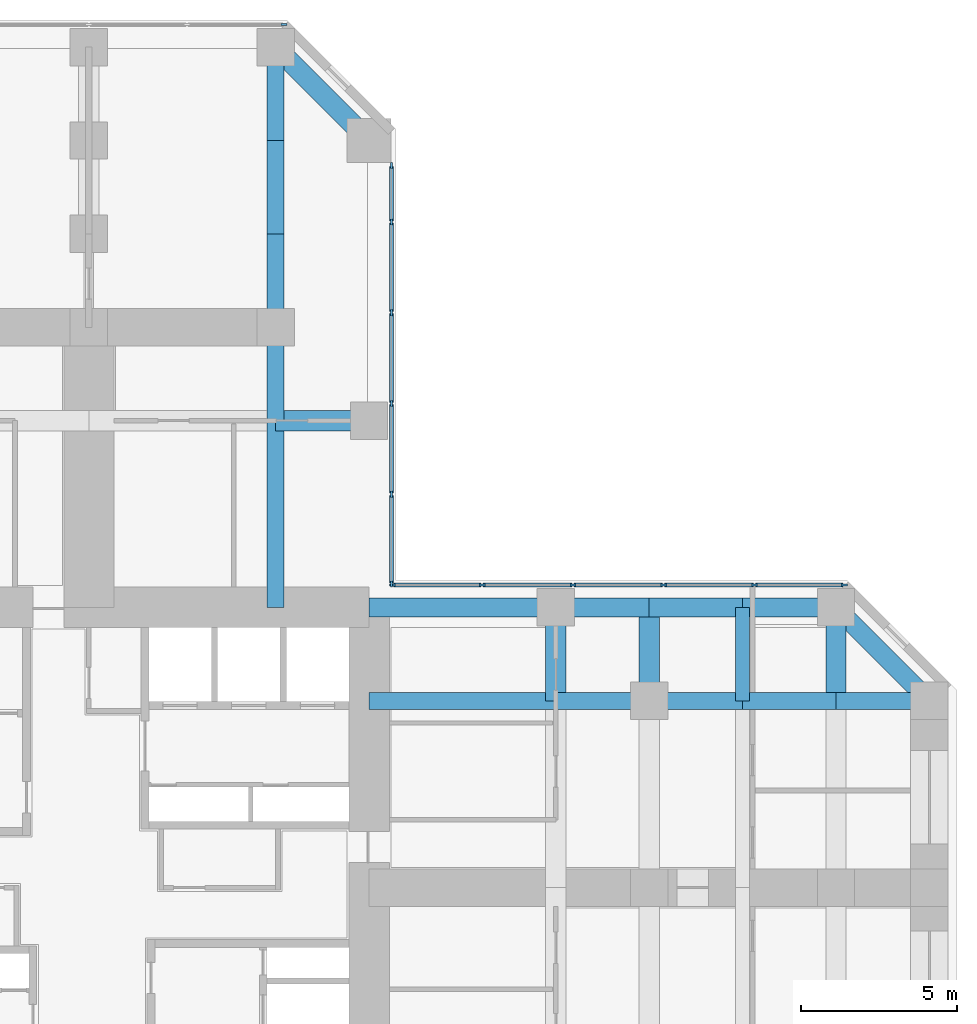
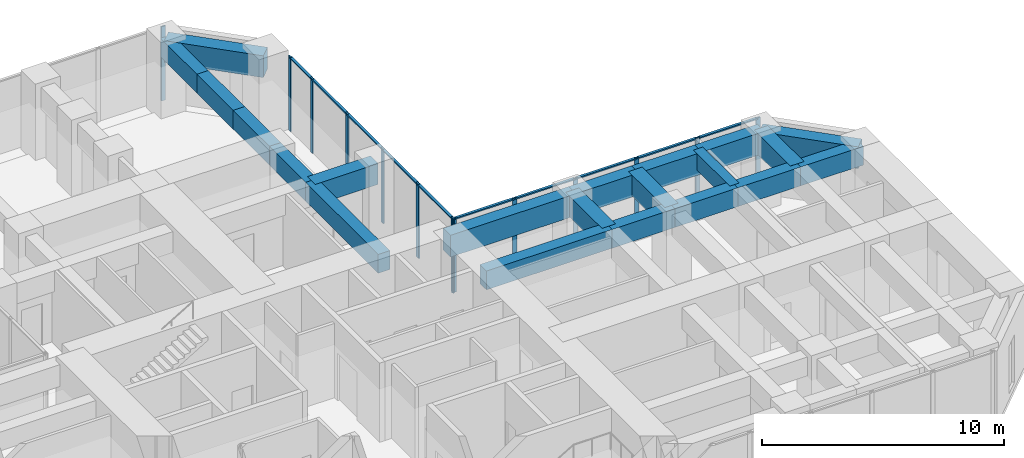
# One storey, part 6 of 13: 23 members, 21 beams, 3 elements without a shape of their own.
"""IFC4 building model written with IfcOpenShell, lengths in metres."""

from ifc_helpers import new_model, si_unit, direction, frame, origin, origin_2d, place, context, subcontext, project, spatial, rectangle, extrude, material, material_profile, profile_set, type_object, element, aggregate, save


model = new_model("IFC4")

# Units and contexts
model_context = context("Model", 3, precision=1e-05, world=origin(), true_north=direction((0.0, 1.0)))
body_context = subcontext(model_context, "Body", "Model", "MODEL_VIEW")
ifc_project = project(units=[si_unit("LENGTHUNIT", "METRE"), si_unit("AREAUNIT", "SQUARE_METRE"), si_unit("VOLUMEUNIT", "CUBIC_METRE"), si_unit("PLANEANGLEUNIT", "RADIAN"), si_unit("MASSUNIT", "GRAM", prefix="KILO")], contexts=[model_context])

# Site, building, storey
site_placement = place(None, origin())
site = spatial("IfcSite", under=ifc_project, at=site_placement, CompositionType="ELEMENT")
building_placement = place(site_placement, origin())
building = spatial("IfcBuilding", under=site, at=building_placement, Name="Torre Cruceta", CompositionType="ELEMENT")
storey_placement = place(building_placement, frame((0.0, 0.0, 91.5)))
storey = spatial("IfcBuildingStorey", under=building, at=storey_placement, Name="L22", CompositionType="ELEMENT", Elevation=91.5)

# Beams
ifc_material_1 = material(Name="Concrete G60 (fck 60 MPa)", Category="concrete")
ifc_material_profile_1 = material_profile(ifc_material_1, rectangle(XDim=0.550048828125, YDim=0.949951171875, at=origin_2d()), Name="RC 550X950")
ifc_profile_set_1 = profile_set([ifc_material_profile_1], Name="Concrete G60 (fck 60 MPa)")
beam_type_1 = type_object("IfcBeamType", Name="COLUMN LINE BEAM RC 550X950", PredefinedType="BEAM", material=ifc_profile_set_1)
beam_1_placement = place(storey_placement, frame((6.0, 9.0, 3.27490234375), z_axis=(0.0, 1.0, 0.0), x_axis=(-1.0, 0.0, 0.0)))
element("IfcBeam", 1, at=beam_1_placement, inside=storey, type_object=beam_type_1, Name="LB3 L22 N col- 1", PredefinedType="BEAM", context=body_context, shape_type="SweptSolid", body=[
    extrude(rectangle(XDim=0.550048828125, YDim=0.949951171875, at=origin_2d()), origin(), (0.0, 0.0, 1.0), 6.0),
])
for number, where, z_axis, x_axis, name in (
    (2, (6.0, 15.0, 3.27490234375), (0.0, 1.0, 0.0), (-1.0, 0.0, 0.0), "LB3 L22 N col- 2"),
    (3, (6.0, 18.0, 3.27490234375), (0.0, 1.0, 0.0), (-1.0, 0.0, 0.0), "LB3 L22 N col- 3"),
    (4, (6.0, 21.0, 3.27490234375), (0.0, 1.0, 0.0), (-1.0, 0.0, 0.0), "LB3 L22 N col- 4"),
    (5, (6.0, 24.0, 3.27490234375), (0.0, 1.0, 0.0), (-1.0, 0.0, 0.0), "LB3 L22 N col- 5"),
):
    element("IfcBeam", number, at=place(storey_placement, frame(where, z_axis=z_axis, x_axis=x_axis)), inside=storey, type_object=beam_type_1, Name=name, PredefinedType="BEAM", context=body_context, shape_type="SweptSolid", body=[
        extrude(rectangle(XDim=0.550048828125, YDim=0.949951171875, at=origin_2d()), origin(), (0.0, 0.0, 1.0), 3.0),
    ])
beam_2_placement = place(storey_placement, frame((9.0, 6.0, 3.27490234375), z_axis=(1.0, 0.0, 0.0), x_axis=(0.0, 1.0, 0.0)))
element("IfcBeam", 6, at=beam_2_placement, inside=storey, type_object=beam_type_1, Name="LB3 L22 E col+ 1", PredefinedType="BEAM", context=body_context, shape_type="SweptSolid", body=[
    extrude(rectangle(XDim=0.550048828125, YDim=0.949951171875, at=origin_2d()), origin(), (0.0, 0.0, 1.0), 6.0),
])
for number, where, z_axis, x_axis, name in (
    (7, (15.0, 6.0, 3.27490234375), (1.0, 0.0, 0.0), (0.0, 1.0, 0.0), "LB3 L22 E col+ 2"),
    (8, (18.0, 6.0, 3.27490234375), (1.0, 0.0, 0.0), (0.0, 1.0, 0.0), "LB3 L22 E col+ 3"),
    (9, (21.0, 6.0, 3.27490234375), (1.0, 0.0, 0.0), (0.0, 1.0, 0.0), "LB3 L22 E col+ 4"),
    (10, (24.0, 6.0, 3.27490234375), (1.0, 0.0, 0.0), (0.0, 1.0, 0.0), "LB3 L22 E col+ 5"),
):
    element("IfcBeam", number, at=place(storey_placement, frame(where, z_axis=z_axis, x_axis=x_axis)), inside=storey, type_object=beam_type_1, Name=name, PredefinedType="BEAM", context=body_context, shape_type="SweptSolid", body=[
        extrude(rectangle(XDim=0.550048828125, YDim=0.949951171875, at=origin_2d()), origin(), (0.0, 0.0, 1.0), 3.0),
    ])
ifc_material_2 = material(Name="Concrete G60 (fck 60 MPa)", Category="concrete")
ifc_material_profile_2 = material_profile(ifc_material_2, rectangle(XDim=0.64990234375, YDim=1.050048828125, at=origin_2d()), Name="RC 650X1050")
ifc_profile_set_2 = profile_set([ifc_material_profile_2], Name="Concrete G60 (fck 60 MPa)")
beam_type_2 = type_object("IfcBeamType", Name="CROSS BEAM RC 650X1050", PredefinedType="BEAM", material=ifc_profile_set_2)
for number, where, z_axis, x_axis, name in (
    (11, (9.0, 15.0, 3.22509765625), (-1.0, 0.0, 0.0), (0.0, -1.0, 0.0), "GB3 L22 N cross15 1"),
    (12, (15.0, 6.0, 3.22509765625), (0.0, 1.0, 0.0), (-1.0, 0.0, 0.0), "GB3 L22 E cross15 4"),
    (13, (18.0, 6.0, 3.22509765625), (0.0, 1.0, 0.0), (-1.0, 0.0, 0.0), "GB3 L22 E cross18 4"),
    (14, (24.0, 6.0, 3.22509765625), (0.0, 1.0, 0.0), (-1.0, 0.0, 0.0), "GB3 L22 E cross24 4"),
):
    element("IfcBeam", number, at=place(storey_placement, frame(where, z_axis=z_axis, x_axis=x_axis)), inside=storey, type_object=beam_type_2, Name=name, PredefinedType="BEAM", context=body_context, shape_type="SweptSolid", body=[
        extrude(rectangle(XDim=0.64990234375, YDim=1.050048828125, at=origin_2d()), origin(), (0.0, 0.0, 1.0), 3.0),
    ])

# Curtain wall, members
ifc_material_3 = material(Name="Aluminium unitised curtain wall", Category="aluminium")
curtain_wall_type = type_object("IfcCurtainWallType", Name="CURTAIN WALL CW-A OFFICE LOW RISE", PredefinedType="USERDEFINED", material=ifc_material_3)
curtain_wall_1_placement = place(storey_placement, origin())
curtain_wall_1 = element("IfcCurtainWall", 15, at=curtain_wall_1_placement, inside=storey, type_object=curtain_wall_type, Name="CW-A L22 E side 04", ObjectType="UNITISED", PredefinedType="USERDEFINED")
ifc_material_4 = material(Name="Aluminium mullion", Category="aluminium")
ifc_material_profile_3 = material_profile(ifc_material_4, rectangle(XDim=0.06494140625, YDim=0.199951171875, at=origin_2d()), Name="AL 65X200")
ifc_profile_set_3 = profile_set([ifc_material_profile_3], Name="Aluminium mullion")
member_type_1 = type_object("IfcMemberType", Name="CW-A MULLION 65X200", PredefinedType="MULLION", material=ifc_profile_set_3)
member_1_placement = place(storey_placement, frame((24.265625, 9.719970703125, 0.0), z_axis=(0.0, 0.0, 1.0), x_axis=(0.0, -1.0, 0.0)))
member_1 = element("IfcMember", 16, at=member_1_placement, type_object=member_type_1, Name="CW-A mullion 1", PredefinedType="MULLION", context=body_context, shape_type="SweptSolid", body=[
    extrude(rectangle(XDim=0.06494140625, YDim=0.199951171875, at=origin_2d()), origin(), (0.0, 0.0, 1.0), 3.75),
])
member_2_placement = place(storey_placement, frame((21.382568359375, 9.719970703125, 0.0), z_axis=(0.0, 0.0, 1.0), x_axis=(0.0, -1.0, 0.0)))
member_2 = element("IfcMember", 17, at=member_2_placement, type_object=member_type_1, Name="CW-A mullion 2", PredefinedType="MULLION", context=body_context, shape_type="SweptSolid", body=[
    extrude(rectangle(XDim=0.06494140625, YDim=0.199951171875, at=origin_2d()), origin(), (0.0, 0.0, 1.0), 3.75),
])
member_3_placement = place(storey_placement, frame((18.467041015625, 9.719970703125, 0.0), z_axis=(0.0, 0.0, 1.0), x_axis=(0.0, -1.0, 0.0)))
member_3 = element("IfcMember", 18, at=member_3_placement, type_object=member_type_1, Name="CW-A mullion 3", PredefinedType="MULLION", context=body_context, shape_type="SweptSolid", body=[
    extrude(rectangle(XDim=0.06494140625, YDim=0.199951171875, at=origin_2d()), origin(), (0.0, 0.0, 1.0), 3.75),
])
member_4_placement = place(storey_placement, frame((15.55126953125, 9.719970703125, 0.0), z_axis=(0.0, 0.0, 1.0), x_axis=(0.0, -1.0, 0.0)))
member_4 = element("IfcMember", 19, at=member_4_placement, type_object=member_type_1, Name="CW-A mullion 4", PredefinedType="MULLION", context=body_context, shape_type="SweptSolid", body=[
    extrude(rectangle(XDim=0.06494140625, YDim=0.199951171875, at=origin_2d()), origin(), (0.0, 0.0, 1.0), 3.75),
])
member_5_placement = place(storey_placement, frame((12.6357421875, 9.719970703125, 0.0), z_axis=(0.0, 0.0, 1.0), x_axis=(0.0, -1.0, 0.0)))
member_5 = element("IfcMember", 20, at=member_5_placement, type_object=member_type_1, Name="CW-A mullion 5", PredefinedType="MULLION", context=body_context, shape_type="SweptSolid", body=[
    extrude(rectangle(XDim=0.06494140625, YDim=0.199951171875, at=origin_2d()), origin(), (0.0, 0.0, 1.0), 3.75),
])
member_6_placement = place(storey_placement, frame((9.75244140625, 9.719970703125, 0.0), z_axis=(0.0, 0.0, 1.0), x_axis=(0.0, -1.0, 0.0)))
member_6 = element("IfcMember", 21, at=member_6_placement, type_object=member_type_1, Name="CW-A mullion 6", PredefinedType="MULLION", context=body_context, shape_type="SweptSolid", body=[
    extrude(rectangle(XDim=0.06494140625, YDim=0.199951171875, at=origin_2d()), origin(), (0.0, 0.0, 1.0), 3.75),
])

curtain_wall_2_placement = place(storey_placement, origin())
curtain_wall_2 = element("IfcCurtainWall", 22, at=curtain_wall_2_placement, inside=storey, type_object=curtain_wall_type, Name="CW-A L22 N side 05", ObjectType="UNITISED", PredefinedType="USERDEFINED")
member_7_placement = place(storey_placement, frame((9.719970703125, 9.75244140625, 0.0), z_axis=(0.0, 0.0, 1.0), x_axis=(-1.0, 0.0, 0.0)))
member_7 = element("IfcMember", 23, at=member_7_placement, type_object=member_type_1, Name="CW-A mullion 1", PredefinedType="MULLION", context=body_context, shape_type="SweptSolid", body=[
    extrude(rectangle(XDim=0.06494140625, YDim=0.199951171875, at=origin_2d()), origin(), (0.0, 0.0, 1.0), 3.75),
])
member_8_placement = place(storey_placement, frame((9.719970703125, 12.6357421875, 0.0), z_axis=(0.0, 0.0, 1.0), x_axis=(-1.0, 0.0, 0.0)))
member_8 = element("IfcMember", 24, at=member_8_placement, type_object=member_type_1, Name="CW-A mullion 2", PredefinedType="MULLION", context=body_context, shape_type="SweptSolid", body=[
    extrude(rectangle(XDim=0.06494140625, YDim=0.199951171875, at=origin_2d()), origin(), (0.0, 0.0, 1.0), 3.75),
])
member_9_placement = place(storey_placement, frame((9.719970703125, 15.55126953125, 0.0), z_axis=(0.0, 0.0, 1.0), x_axis=(-1.0, 0.0, 0.0)))
member_9 = element("IfcMember", 25, at=member_9_placement, type_object=member_type_1, Name="CW-A mullion 3", PredefinedType="MULLION", context=body_context, shape_type="SweptSolid", body=[
    extrude(rectangle(XDim=0.06494140625, YDim=0.199951171875, at=origin_2d()), origin(), (0.0, 0.0, 1.0), 3.75),
])
member_10_placement = place(storey_placement, frame((9.719970703125, 18.467041015625, 0.0), z_axis=(0.0, 0.0, 1.0), x_axis=(-1.0, 0.0, 0.0)))
member_10 = element("IfcMember", 26, at=member_10_placement, type_object=member_type_1, Name="CW-A mullion 4", PredefinedType="MULLION", context=body_context, shape_type="SweptSolid", body=[
    extrude(rectangle(XDim=0.06494140625, YDim=0.199951171875, at=origin_2d()), origin(), (0.0, 0.0, 1.0), 3.75),
])
member_11_placement = place(storey_placement, frame((9.719970703125, 21.382568359375, 0.0), z_axis=(0.0, 0.0, 1.0), x_axis=(-1.0, 0.0, 0.0)))
member_11 = element("IfcMember", 27, at=member_11_placement, type_object=member_type_1, Name="CW-A mullion 5", PredefinedType="MULLION", context=body_context, shape_type="SweptSolid", body=[
    extrude(rectangle(XDim=0.06494140625, YDim=0.199951171875, at=origin_2d()), origin(), (0.0, 0.0, 1.0), 3.75),
])
member_12_placement = place(storey_placement, frame((9.719970703125, 23.198974609375, 0.0), z_axis=(0.0, 0.0, 1.0), x_axis=(-1.0, 0.0, 0.0)))
member_12 = element("IfcMember", 28, at=member_12_placement, type_object=member_type_1, Name="CW-A mullion 6", PredefinedType="MULLION", context=body_context, shape_type="SweptSolid", body=[
    extrude(rectangle(XDim=0.06494140625, YDim=0.199951171875, at=origin_2d()), origin(), (0.0, 0.0, 1.0), 3.75),
])

# Curtain wall, member
curtain_wall_3_placement = place(storey_placement, origin())
curtain_wall_3 = element("IfcCurtainWall", 29, at=curtain_wall_3_placement, inside=storey, type_object=curtain_wall_type, Name="CW-A L22 N tip 07", ObjectType="UNITISED", PredefinedType="USERDEFINED")
member_13_placement = place(storey_placement, frame((6.265625, 27.719970703125, 0.0), z_axis=(0.0, 0.0, 1.0), x_axis=(0.0, -1.0, 0.0)))
member_13 = element("IfcMember", 30, at=member_13_placement, type_object=member_type_1, Name="CW-A mullion 1", PredefinedType="MULLION", context=body_context, shape_type="SweptSolid", body=[
    extrude(rectangle(XDim=0.06494140625, YDim=0.199951171875, at=origin_2d()), origin(), (0.0, 0.0, 1.0), 3.75),
])
aggregate(curtain_wall_3, [member_13])

# Member
ifc_material_5 = material(Name="Aluminium transom", Category="aluminium")
ifc_material_profile_4 = material_profile(ifc_material_5, rectangle(XDim=0.1201171875, YDim=0.06494140625, at=origin_2d()), Name="AL 120X65")
ifc_profile_set_4 = profile_set([ifc_material_profile_4], Name="Aluminium transom")
member_type_2 = type_object("IfcMemberType", Name="CW-A TRANSOM 65X120", PredefinedType="USERDEFINED", material=ifc_profile_set_4)
member_14_placement = place(storey_placement, frame((24.233154296875, 9.719970703125, 3.717529296875), z_axis=(-1.0, 0.0, 0.0), x_axis=(0.0, -1.0, 0.0)))
member_14 = element("IfcMember", 31, at=member_14_placement, type_object=member_type_2, Name="CW-A transom 1", ObjectType="TRANSOM", PredefinedType="USERDEFINED", context=body_context, shape_type="SweptSolid", body=[
    extrude(rectangle(XDim=0.1201171875, YDim=0.06494140625, at=origin_2d()), origin(), (0.0, 0.0, 1.0), 2.818115234375),
])

member_15_placement = place(storey_placement, frame((21.35009765625, 9.719970703125, 3.717529296875), z_axis=(-1.0, 0.0, 0.0), x_axis=(0.0, -1.0, 0.0)))
member_15 = element("IfcMember", 32, at=member_15_placement, type_object=member_type_2, Name="CW-A transom 2", ObjectType="TRANSOM", PredefinedType="USERDEFINED", context=body_context, shape_type="SweptSolid", body=[
    extrude(rectangle(XDim=0.1201171875, YDim=0.06494140625, at=origin_2d()), origin(), (0.0, 0.0, 1.0), 2.8505859375),
])

member_16_placement = place(storey_placement, frame((18.434326171875, 9.719970703125, 3.717529296875), z_axis=(-1.0, 0.0, 0.0), x_axis=(0.0, -1.0, 0.0)))
member_16 = element("IfcMember", 33, at=member_16_placement, type_object=member_type_2, Name="CW-A transom 3", ObjectType="TRANSOM", PredefinedType="USERDEFINED", context=body_context, shape_type="SweptSolid", body=[
    extrude(rectangle(XDim=0.1201171875, YDim=0.06494140625, at=origin_2d()), origin(), (0.0, 0.0, 1.0), 2.8505859375),
])

member_17_placement = place(storey_placement, frame((15.518798828125, 9.719970703125, 3.717529296875), z_axis=(-1.0, 0.0, 0.0), x_axis=(0.0, -1.0, 0.0)))
member_17 = element("IfcMember", 34, at=member_17_placement, type_object=member_type_2, Name="CW-A transom 4", ObjectType="TRANSOM", PredefinedType="USERDEFINED", context=body_context, shape_type="SweptSolid", body=[
    extrude(rectangle(XDim=0.1201171875, YDim=0.06494140625, at=origin_2d()), origin(), (0.0, 0.0, 1.0), 2.8505859375),
])

member_18_placement = place(storey_placement, frame((12.60302734375, 9.719970703125, 3.717529296875), z_axis=(-1.0, 0.0, 0.0), x_axis=(0.0, -1.0, 0.0)))
member_18 = element("IfcMember", 35, at=member_18_placement, type_object=member_type_2, Name="CW-A transom 5", ObjectType="TRANSOM", PredefinedType="USERDEFINED", context=body_context, shape_type="SweptSolid", body=[
    extrude(rectangle(XDim=0.1201171875, YDim=0.06494140625, at=origin_2d()), origin(), (0.0, 0.0, 1.0), 2.818115234375),
])

aggregate(curtain_wall_1, [member_1, member_2, member_3, member_4, member_5, member_6, member_14, member_15, member_16, member_17, member_18])

member_19_placement = place(storey_placement, frame((9.719970703125, 9.784912109375, 3.717529296875), z_axis=(0.0, 1.0, 0.0), x_axis=(-1.0, 0.0, 0.0)))
member_19 = element("IfcMember", 36, at=member_19_placement, type_object=member_type_2, Name="CW-A transom 1", ObjectType="TRANSOM", PredefinedType="USERDEFINED", context=body_context, shape_type="SweptSolid", body=[
    extrude(rectangle(XDim=0.1201171875, YDim=0.06494140625, at=origin_2d()), origin(), (0.0, 0.0, 1.0), 2.818115234375),
])

member_20_placement = place(storey_placement, frame((9.719970703125, 12.668212890625, 3.717529296875), z_axis=(0.0, 1.0, 0.0), x_axis=(-1.0, 0.0, 0.0)))
member_20 = element("IfcMember", 37, at=member_20_placement, type_object=member_type_2, Name="CW-A transom 2", ObjectType="TRANSOM", PredefinedType="USERDEFINED", context=body_context, shape_type="SweptSolid", body=[
    extrude(rectangle(XDim=0.1201171875, YDim=0.06494140625, at=origin_2d()), origin(), (0.0, 0.0, 1.0), 2.8505859375),
])

member_21_placement = place(storey_placement, frame((9.719970703125, 15.583740234375, 3.717529296875), z_axis=(0.0, 1.0, 0.0), x_axis=(-1.0, 0.0, 0.0)))
member_21 = element("IfcMember", 38, at=member_21_placement, type_object=member_type_2, Name="CW-A transom 3", ObjectType="TRANSOM", PredefinedType="USERDEFINED", context=body_context, shape_type="SweptSolid", body=[
    extrude(rectangle(XDim=0.1201171875, YDim=0.06494140625, at=origin_2d()), origin(), (0.0, 0.0, 1.0), 2.8505859375),
])

member_22_placement = place(storey_placement, frame((9.719970703125, 18.49951171875, 3.717529296875), z_axis=(0.0, 1.0, 0.0), x_axis=(-1.0, 0.0, 0.0)))
member_22 = element("IfcMember", 39, at=member_22_placement, type_object=member_type_2, Name="CW-A transom 4", ObjectType="TRANSOM", PredefinedType="USERDEFINED", context=body_context, shape_type="SweptSolid", body=[
    extrude(rectangle(XDim=0.1201171875, YDim=0.06494140625, at=origin_2d()), origin(), (0.0, 0.0, 1.0), 2.8505859375),
])

member_23_placement = place(storey_placement, frame((9.719970703125, 21.4150390625, 3.717529296875), z_axis=(0.0, 1.0, 0.0), x_axis=(-1.0, 0.0, 0.0)))
member_23 = element("IfcMember", 40, at=member_23_placement, type_object=member_type_2, Name="CW-A transom 5", ObjectType="TRANSOM", PredefinedType="USERDEFINED", context=body_context, shape_type="SweptSolid", body=[
    extrude(rectangle(XDim=0.1201171875, YDim=0.06494140625, at=origin_2d()), origin(), (0.0, 0.0, 1.0), 1.75146484375),
])

aggregate(curtain_wall_2, [member_7, member_8, member_9, member_10, member_11, member_12, member_19, member_20, member_21, member_22, member_23])

# Beams
ifc_material_6 = material(Name="Concrete G60 (fck 60 MPa)", Category="concrete")
ifc_material_profile_5 = material_profile(ifc_material_6, rectangle(XDim=0.449951171875, YDim=0.85009765625, at=origin_2d()), Name="RC 450X850")
ifc_profile_set_5 = profile_set([ifc_material_profile_5], Name="Concrete G60 (fck 60 MPa)")
beam_type_3 = type_object("IfcBeamType", Name="SECONDARY BEAM RC 450X850", PredefinedType="JOIST", material=ifc_profile_set_5)
beam_3_placement = place(storey_placement, frame((21.0, 6.0, 3.324951171875), z_axis=(0.0, 1.0, 0.0), x_axis=(-1.0, 0.0, 0.0)))
element("IfcBeam", 41, at=beam_3_placement, inside=storey, type_object=beam_type_3, Name="JB4 L22 E sec21 4", PredefinedType="JOIST", context=body_context, shape_type="SweptSolid", body=[
    extrude(rectangle(XDim=0.449951171875, YDim=0.85009765625, at=origin_2d()), origin(), (0.0, 0.0, 1.0), 3.0),
])
ifc_material_7 = material(Name="Concrete G60 (fck 60 MPa)", Category="concrete")
ifc_material_profile_6 = material_profile(ifc_material_7, rectangle(XDim=0.60009765625, YDim=1.10009765625, at=origin_2d()), Name="RC 600X1100")
ifc_profile_set_6 = profile_set([ifc_material_profile_6], Name="Concrete G60 (fck 60 MPa)")
beam_type_4 = type_object("IfcBeamType", Name="SPANDREL BEAM RC 600X1100", PredefinedType="SPANDREL", material=ifc_profile_set_6)
beam_4_placement = place(storey_placement, frame((9.0, 9.0, 3.199951171875), z_axis=(1.0, 0.0, 0.0), x_axis=(0.0, 1.0, 0.0)))
element("IfcBeam", 42, at=beam_4_placement, inside=storey, type_object=beam_type_4, Name="SB2 L22 E side+ 1", PredefinedType="SPANDREL", context=body_context, shape_type="SweptSolid", body=[
    extrude(rectangle(XDim=0.60009765625, YDim=1.10009765625, at=origin_2d()), origin(), (0.0, 0.0, 1.0), 6.0),
])
for number, where, z_axis, x_axis, name in (
    (43, (15.0, 9.0, 3.199951171875), (1.0, 0.0, 0.0), (0.0, 1.0, 0.0), "SB2 L22 E side+ 2"),
    (44, (18.0, 9.0, 3.199951171875), (1.0, 0.0, 0.0), (0.0, 1.0, 0.0), "SB2 L22 E side+ 3"),
    (45, (21.0, 9.0, 3.199951171875), (1.0, 0.0, 0.0), (0.0, 1.0, 0.0), "SB2 L22 E side+ 4"),
):
    element("IfcBeam", number, at=place(storey_placement, frame(where, z_axis=z_axis, x_axis=x_axis)), inside=storey, type_object=beam_type_4, Name=name, PredefinedType="SPANDREL", context=body_context, shape_type="SweptSolid", body=[
        extrude(rectangle(XDim=0.60009765625, YDim=1.10009765625, at=origin_2d()), origin(), (0.0, 0.0, 1.0), 3.0),
    ])
beam_5_placement = place(storey_placement, frame((24.0, 9.0, 3.199951171875), z_axis=(0.707106781187, -0.707106781187, 0.0), x_axis=(0.707106781187, 0.707106781187, 0.0)))
element("IfcBeam", 46, at=beam_5_placement, inside=storey, type_object=beam_type_4, Name="SB2 L22 E side+ 5", PredefinedType="SPANDREL", context=body_context, shape_type="SweptSolid", body=[
    extrude(rectangle(XDim=0.60009765625, YDim=1.10009765625, at=origin_2d()), origin(), (0.0, 0.0, 1.0), 4.24267578125),
])
ifc_material_8 = material(Name="Concrete G60 (fck 60 MPa)", Category="concrete")
ifc_material_profile_7 = material_profile(ifc_material_8, rectangle(XDim=0.64990234375, YDim=1.10009765625, at=origin_2d()), Name="RC 650X1100")
ifc_profile_set_7 = profile_set([ifc_material_profile_7], Name="Concrete G60 (fck 60 MPa)")
beam_type_5 = type_object("IfcBeamType", Name="SPANDREL BEAM RC 650X1100", PredefinedType="SPANDREL", material=ifc_profile_set_7)
beam_6_placement = place(storey_placement, frame((9.0, 24.0, 3.199951171875), z_axis=(-0.707106781187, 0.707106781187, 0.0), x_axis=(-0.707106781187, -0.707106781187, 0.0)))
element("IfcBeam", 47, at=beam_6_placement, inside=storey, type_object=beam_type_5, Name="SB3 L22 N side- 5", PredefinedType="SPANDREL", context=body_context, shape_type="SweptSolid", body=[
    extrude(rectangle(XDim=0.64990234375, YDim=1.10009765625, at=origin_2d()), origin(), (0.0, 0.0, 1.0), 4.24267578125),
])

save(model, "model.ifc")
